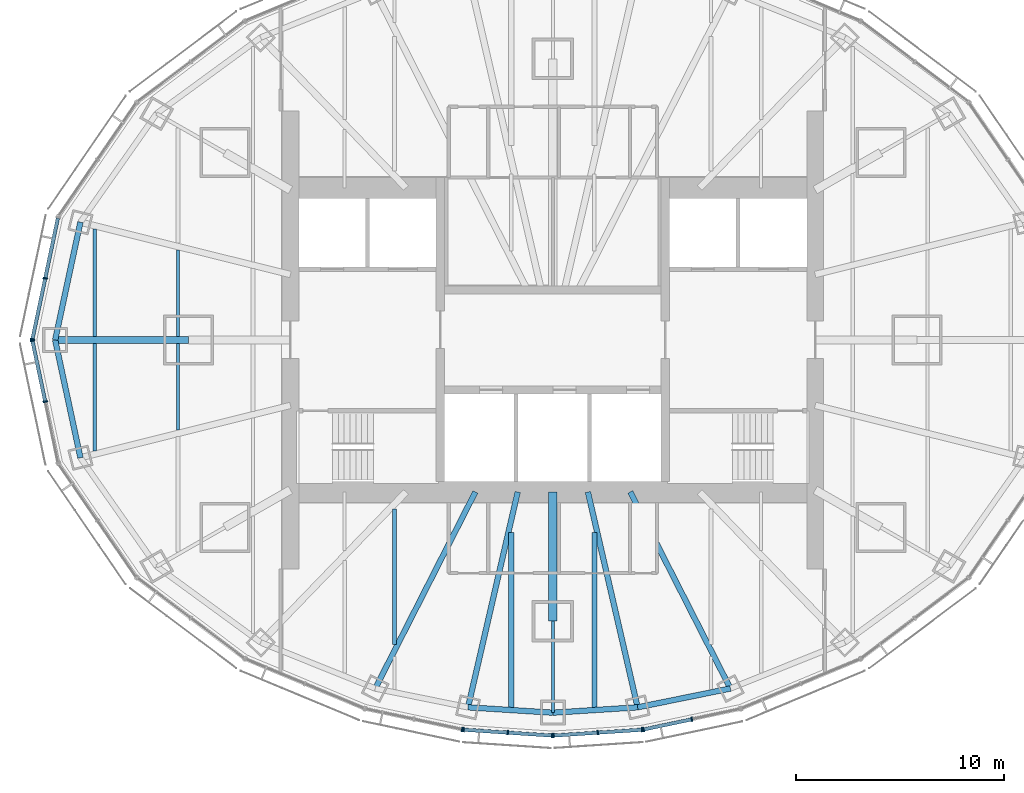
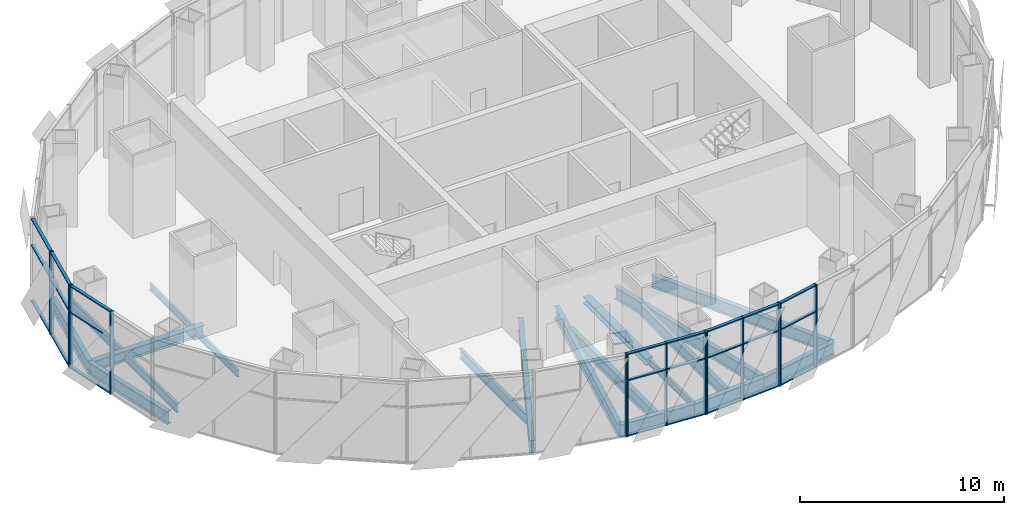
# One storey, part 3 of 17: 37 members, 19 beams, 6 elements without a shape of their own.
"""IFC4 building model written with IfcOpenShell, lengths in metres."""

from ifc_helpers import new_model, si_unit, direction, frame, origin, origin_2d, place, context, subcontext, project, spatial, rectangle, i_section, extrude, material, material_profile, profile_set, type_object, element, aggregate, save


model = new_model("IFC4")

# Units and contexts
model_context = context("Model", 3, precision=1e-05, world=origin(), true_north=direction((0.0, 1.0)))
body_context = subcontext(model_context, "Body", "Model", "MODEL_VIEW")
ifc_project = project(units=[si_unit("LENGTHUNIT", "METRE"), si_unit("AREAUNIT", "SQUARE_METRE"), si_unit("VOLUMEUNIT", "CUBIC_METRE"), si_unit("PLANEANGLEUNIT", "RADIAN"), si_unit("MASSUNIT", "GRAM", prefix="KILO")], contexts=[model_context])

# Site, building, storey
site_placement = place(None, origin())
site = spatial("IfcSite", under=ifc_project, at=site_placement, CompositionType="ELEMENT")
building_placement = place(site_placement, origin())
building = spatial("IfcBuilding", under=site, at=building_placement, Name="Lantaw Convention Tower", CompositionType="ELEMENT")
storey_placement = place(building_placement, frame((0.0, 0.0, 279.39990234375)))
storey = spatial("IfcBuildingStorey", under=building, at=storey_placement, Name="L65", CompositionType="ELEMENT", Elevation=279.39990234375)

# Beams
ifc_material_1 = material(Name="Steel ASTM A992", Category="steel")
ifc_material_profile_1 = material_profile(ifc_material_1, i_section(OverallWidth=0.2666015625, OverallDepth=0.76953125, WebThickness=0.015625, FlangeThickness=0.025390625, FilletRadius=0.0126953125, at=origin_2d()), Name="W30X132")
ifc_profile_set_1 = profile_set([ifc_material_profile_1], Name="Steel ASTM A992")
beam_type_1 = type_object("IfcBeamType", Name="Beam E W30X132", PredefinedType="SPANDREL", material=ifc_profile_set_1)
for number, where, z_axis, x_axis, name in (
    (1, (-22.68701171875, 5.656494140625, -0.53466796875), (-0.209658780372, -0.977774614015, 0.0), (0.977774614015, -0.209658780372, 0.0), "Edge beam 12"),
    (2, (-23.89990234375, 0.0, -0.53466796875), (0.209658780372, -0.977774614015, 0.0), (0.977774614015, 0.209658780372, 0.0), "Edge beam 13"),
):
    element("IfcBeam", number, at=place(storey_placement, frame(where, z_axis=z_axis, x_axis=x_axis)), inside=storey, type_object=beam_type_1, Name=name, PredefinedType="SPANDREL", context=body_context, shape_type="SweptSolid", body=[
        extrude(i_section(OverallWidth=0.2666015625, OverallDepth=0.76953125, WebThickness=0.015625, FlangeThickness=0.025390625, FilletRadius=0.0126953125, at=origin_2d()), origin(), (0.0, 0.0, 1.0), 5.78515625),
    ])
for number, where, z_axis, x_axis, name in (
    (3, (-4.072998046875, -17.642333984375, -0.53466796875), (0.998006453216, -0.063111958769, 0.0), (0.063111958769, 0.998006453216, 0.0), "Edge beam 18"),
    (4, (0.0, -17.89990234375, -0.53466796875), (0.998006453216, 0.063111958769, 0.0), (-0.063111958769, 0.998006453216, 0.0), "Edge beam 19"),
):
    element("IfcBeam", number, at=place(storey_placement, frame(where, z_axis=z_axis, x_axis=x_axis)), inside=storey, type_object=beam_type_1, Name=name, PredefinedType="SPANDREL", context=body_context, shape_type="SweptSolid", body=[
        extrude(i_section(OverallWidth=0.2666015625, OverallDepth=0.76953125, WebThickness=0.015625, FlangeThickness=0.025390625, FilletRadius=0.0126953125, at=origin_2d()), origin(), (0.0, 0.0, 1.0), 4.0810546875),
    ])
beam_1_placement = place(storey_placement, frame((4.072998046875, -17.642333984375, -0.53466796875), z_axis=(0.980006466425, 0.198965639657, 0.0), x_axis=(-0.198965639657, 0.980006466425, 0.0)))
element("IfcBeam", 5, at=beam_1_placement, inside=storey, type_object=beam_type_1, Name="Edge beam 20", PredefinedType="SPANDREL", context=body_context, shape_type="SweptSolid", body=[
    extrude(i_section(OverallWidth=0.2666015625, OverallDepth=0.76953125, WebThickness=0.015625, FlangeThickness=0.025390625, FilletRadius=0.0126953125, at=origin_2d()), origin(), (0.0, 0.0, 1.0), 4.546142578125),
])
ifc_material_profile_2 = material_profile(ifc_material_1, i_section(OverallWidth=0.140380859375, OverallDepth=0.40380859375, WebThickness=0.007080078125, FlangeThickness=0.01123046875, FilletRadius=0.01025390625, at=origin_2d()), Name="W16X31")
ifc_profile_set_2 = profile_set([ifc_material_profile_2], Name="Steel ASTM A992")
beam_type_2 = type_object("IfcBeamType", Name="Beam G W16X31", PredefinedType="BEAM", material=ifc_profile_set_2)
beam_2_placement = place(storey_placement, frame((0.0, -13.5, -0.351806640625), z_axis=(0.0, -1.0, 0.0), x_axis=(1.0, 0.0, 0.0)))
element("IfcBeam", 6, at=beam_2_placement, inside=storey, type_object=beam_type_2, Name="Floor girder on ray 19", PredefinedType="BEAM", context=body_context, shape_type="SweptSolid", body=[
    extrude(i_section(OverallWidth=0.140380859375, OverallDepth=0.40380859375, WebThickness=0.007080078125, FlangeThickness=0.01123046875, FilletRadius=0.01025390625, at=origin_2d()), origin(), (0.0, 0.0, 1.0), 4.39990234375),
])
ifc_material_profile_3 = material_profile(ifc_material_1, i_section(OverallWidth=0.3251953125, OverallDepth=0.612060546875, WebThickness=0.0126953125, FlangeThickness=0.01904296875, FilletRadius=0.0126953125, at=origin_2d()), Name="W24X104")
ifc_profile_set_3 = profile_set([ifc_material_profile_3], Name="Steel ASTM A992")
beam_type_3 = type_object("IfcBeamType", Name="Beam G W24X104", PredefinedType="BEAM", material=ifc_profile_set_3)
beam_3_placement = place(storey_placement, frame((-17.5, 0.0, -0.4560546875), z_axis=(-1.0, 0.0, 0.0), x_axis=(0.0, -1.0, 0.0)))
element("IfcBeam", 7, at=beam_3_placement, inside=storey, type_object=beam_type_3, Name="Floor girder on ray 13", PredefinedType="BEAM", context=body_context, shape_type="SweptSolid", body=[
    extrude(i_section(OverallWidth=0.3251953125, OverallDepth=0.612060546875, WebThickness=0.0126953125, FlangeThickness=0.01904296875, FilletRadius=0.0126953125, at=origin_2d()), origin(), (0.0, 0.0, 1.0), 6.39990234375),
])
ifc_material_profile_4 = material_profile(ifc_material_1, i_section(OverallWidth=0.2666015625, OverallDepth=0.7568359375, WebThickness=0.013916015625, FlangeThickness=0.019287109375, FilletRadius=0.0126953125, at=origin_2d()), Name="W30X108")
ifc_profile_set_4 = profile_set([ifc_material_profile_4], Name="Steel ASTM A992")
beam_type_4 = type_object("IfcBeamType", Name="Beam G W30X108", PredefinedType="BEAM", material=ifc_profile_set_4)
beam_4_placement = place(storey_placement, frame((-3.719482421875, -7.300048828125, -0.5283203125), z_axis=(-0.453995526284, -0.891003963018, 0.0), x_axis=(0.891003963018, -0.453995526284, 0.0)))
element("IfcBeam", 8, at=beam_4_placement, inside=storey, type_object=beam_type_4, Name="Floor girder on ray 17", PredefinedType="BEAM", context=body_context, shape_type="SweptSolid", body=[
    extrude(i_section(OverallWidth=0.2666015625, OverallDepth=0.7568359375, WebThickness=0.013916015625, FlangeThickness=0.019287109375, FilletRadius=0.0126953125, at=origin_2d()), origin(), (0.0, 0.0, 1.0), 10.59228515625),
])
for number, where, z_axis, x_axis, name in (
    (9, (-1.685302734375, -7.300048828125, -0.5283203125), (-0.22495021771, -0.974370257937, 0.0), (0.974370257937, -0.22495021771, 0.0), "Floor girder on ray 18"),
    (10, (1.685302734375, -7.300048828125, -0.5283203125), (0.22495021771, -0.974370257937, 0.0), (0.974370257937, 0.22495021771, 0.0), "Floor girder on ray 20"),
):
    element("IfcBeam", number, at=place(storey_placement, frame(where, z_axis=z_axis, x_axis=x_axis)), inside=storey, type_object=beam_type_4, Name=name, PredefinedType="BEAM", context=body_context, shape_type="SweptSolid", body=[
        extrude(i_section(OverallWidth=0.2666015625, OverallDepth=0.7568359375, WebThickness=0.013916015625, FlangeThickness=0.019287109375, FilletRadius=0.0126953125, at=origin_2d()), origin(), (0.0, 0.0, 1.0), 10.6142578125),
    ])
beam_5_placement = place(storey_placement, frame((3.719482421875, -7.300048828125, -0.5283203125), z_axis=(0.453995526284, -0.891003963018, 0.0), x_axis=(0.891003963018, 0.453995526284, 0.0)))
element("IfcBeam", 11, at=beam_5_placement, inside=storey, type_object=beam_type_4, Name="Floor girder on ray 21", PredefinedType="BEAM", context=body_context, shape_type="SweptSolid", body=[
    extrude(i_section(OverallWidth=0.2666015625, OverallDepth=0.7568359375, WebThickness=0.013916015625, FlangeThickness=0.019287109375, FilletRadius=0.0126953125, at=origin_2d()), origin(), (0.0, 0.0, 1.0), 10.59228515625),
])
ifc_material_profile_5 = material_profile(ifc_material_1, i_section(OverallWidth=0.40380859375, OverallDepth=0.406494140625, WebThickness=0.027099609375, FlangeThickness=0.043701171875, FilletRadius=0.01513671875, at=origin_2d()), Name="W14X233")
ifc_profile_set_5 = profile_set([ifc_material_profile_5], Name="Steel ASTM A992")
beam_type_5 = type_object("IfcBeamType", Name="Beam GM W14X233", PredefinedType="BEAM", material=ifc_profile_set_5)
beam_6_placement = place(storey_placement, frame((0.0, -7.300048828125, -0.35302734375), z_axis=(0.0, -1.0, 0.0), x_axis=(1.0, 0.0, 0.0)))
element("IfcBeam", 12, at=beam_6_placement, inside=storey, type_object=beam_type_5, Name="Core link beam on ray 19", PredefinedType="BEAM", context=body_context, shape_type="SweptSolid", body=[
    extrude(i_section(OverallWidth=0.40380859375, OverallDepth=0.406494140625, WebThickness=0.027099609375, FlangeThickness=0.043701171875, FilletRadius=0.01513671875, at=origin_2d()), origin(), (0.0, 0.0, 1.0), 6.199951171875),
])
ifc_material_profile_6 = material_profile(ifc_material_1, i_section(OverallWidth=0.140380859375, OverallDepth=0.40380859375, WebThickness=0.007080078125, FlangeThickness=0.01123046875, FilletRadius=0.01025390625, at=origin_2d()), Name="W16X31")
ifc_profile_set_6 = profile_set([ifc_material_profile_6], Name="Steel ASTM A992")
beam_type_6 = type_object("IfcBeamType", Name="Beam J W16X31", PredefinedType="JOIST", material=ifc_profile_set_6)
for number, where, z_axis, x_axis, name in (
    (13, (-18.0, -4.32958984375, -0.351806640625), (0.0, 1.0, 0.0), (-1.0, 0.0, 0.0), "Floor joist"),
    (14, (-18.0, 0.16259765625, -0.351806640625), (0.0, 1.0, 0.0), (-1.0, 0.0, 0.0), "Floor joist"),
):
    element("IfcBeam", number, at=place(storey_placement, frame(where, z_axis=z_axis, x_axis=x_axis)), inside=storey, type_object=beam_type_6, Name=name, PredefinedType="JOIST", context=body_context, shape_type="SweptSolid", body=[
        extrude(i_section(OverallWidth=0.140380859375, OverallDepth=0.40380859375, WebThickness=0.007080078125, FlangeThickness=0.01123046875, FilletRadius=0.01025390625, at=origin_2d()), origin(), (0.0, 0.0, 1.0), 4.1669921875),
    ])
ifc_material_profile_7 = material_profile(ifc_material_1, i_section(OverallWidth=0.1650390625, OverallDepth=0.52587890625, WebThickness=0.0087890625, FlangeThickness=0.011474609375, FilletRadius=0.0126953125, at=origin_2d()), Name="W21X44")
ifc_profile_set_7 = profile_set([ifc_material_profile_7], Name="Steel ASTM A992")
beam_type_7 = type_object("IfcBeamType", Name="Beam J W21X44", PredefinedType="JOIST", material=ifc_profile_set_7)
for number, where, z_axis, x_axis, name in (
    (15, (-22.0, -5.326904296875, -0.412841796875), (0.0, 1.0, 0.0), (-1.0, 0.0, 0.0), "Floor joist"),
    (16, (-22.0, 0.16259765625, -0.412841796875), (0.0, 1.0, 0.0), (-1.0, 0.0, 0.0), "Floor joist"),
):
    element("IfcBeam", number, at=place(storey_placement, frame(where, z_axis=z_axis, x_axis=x_axis)), inside=storey, type_object=beam_type_7, Name=name, PredefinedType="JOIST", context=body_context, shape_type="SweptSolid", body=[
        extrude(i_section(OverallWidth=0.1650390625, OverallDepth=0.52587890625, WebThickness=0.0087890625, FlangeThickness=0.011474609375, FilletRadius=0.0126953125, at=origin_2d()), origin(), (0.0, 0.0, 1.0), 5.164306640625),
    ])
ifc_material_profile_8 = material_profile(ifc_material_1, i_section(OverallWidth=0.177978515625, OverallDepth=0.599365234375, WebThickness=0.010009765625, FlangeThickness=0.012939453125, FilletRadius=0.012939453125, at=origin_2d()), Name="W24X55")
ifc_profile_set_8 = profile_set([ifc_material_profile_8], Name="Steel ASTM A992")
beam_type_8 = type_object("IfcBeamType", Name="Beam J W24X55", PredefinedType="JOIST", material=ifc_profile_set_8)
beam_7_placement = place(storey_placement, frame((-7.60009765625, -14.6220703125, -0.44970703125), z_axis=(0.0, 1.0, 0.0), x_axis=(-1.0, 0.0, 0.0)))
element("IfcBeam", 17, at=beam_7_placement, inside=storey, type_object=beam_type_8, Name="Floor joist", PredefinedType="JOIST", context=body_context, shape_type="SweptSolid", body=[
    extrude(i_section(OverallWidth=0.177978515625, OverallDepth=0.599365234375, WebThickness=0.010009765625, FlangeThickness=0.012939453125, FilletRadius=0.012939453125, at=origin_2d()), origin(), (0.0, 0.0, 1.0), 6.51611328125),
])
ifc_material_profile_9 = material_profile(ifc_material_1, i_section(OverallWidth=0.25390625, OverallDepth=0.683349609375, WebThickness=0.012451171875, FlangeThickness=0.01904296875, FilletRadius=0.01513671875, at=origin_2d()), Name="W27X94")
ifc_profile_set_9 = profile_set([ifc_material_profile_9], Name="Steel ASTM A992")
beam_type_9 = type_object("IfcBeamType", Name="Beam J W27X94", PredefinedType="JOIST", material=ifc_profile_set_9)
for number, where, z_axis, x_axis, name in (
    (18, (-2.0, -17.639892578125, -0.491455078125), (0.0, 1.0, 0.0), (-1.0, 0.0, 0.0), "Floor joist"),
    (19, (2.0, -17.639892578125, -0.491455078125), (0.0, 1.0, 0.0), (-1.0, 0.0, 0.0), "Floor joist"),
):
    element("IfcBeam", number, at=place(storey_placement, frame(where, z_axis=z_axis, x_axis=x_axis)), inside=storey, type_object=beam_type_9, Name=name, PredefinedType="JOIST", context=body_context, shape_type="SweptSolid", body=[
        extrude(i_section(OverallWidth=0.25390625, OverallDepth=0.683349609375, WebThickness=0.012451171875, FlangeThickness=0.01904296875, FilletRadius=0.01513671875, at=origin_2d()), origin(), (0.0, 0.0, 1.0), 8.384033203125),
    ])

# Curtain wall, members
ifc_material_2 = material(Name="Aluminium framed curtain wall", Category="aluminium")
curtain_wall_type = type_object("IfcCurtainWallType", Name="Executive floors curtain wall, pale aluminium", PredefinedType="USERDEFINED", material=ifc_material_2)
curtain_wall_1_placement = place(storey_placement, origin())
curtain_wall_1 = element("IfcCurtainWall", 20, at=curtain_wall_1_placement, inside=storey, type_object=curtain_wall_type, Name="Executive floors curtain wall, pale aluminium L65", ObjectType="UNITISED CURTAIN WALL", PredefinedType="USERDEFINED")
ifc_material_3 = material(Name="Aluminium 6063-T6", Category="aluminium")
ifc_material_profile_10 = material_profile(ifc_material_3, rectangle(XDim=0.219970703125, YDim=0.070068359375, at=origin_2d()), Name="CW-T mullion 70x220")
ifc_profile_set_10 = profile_set([ifc_material_profile_10], Name="Aluminium 6063-T6")
member_type_1 = type_object("IfcMemberType", Name="CW-T mullion 70x220", PredefinedType="MULLION", material=ifc_profile_set_10)
member_1_placement = place(storey_placement, frame((-24.377197265625, 2.96142578125, -0.14990234375), z_axis=(0.0, 0.0, 1.0), x_axis=(0.978591117263, -0.205814054946, 0.0)))
member_1 = element("IfcMember", 21, at=member_1_placement, type_object=member_type_1, Name="CW-T mullion 2", PredefinedType="MULLION", context=body_context, shape_type="SweptSolid", body=[
    extrude(rectangle(XDim=0.219970703125, YDim=0.070068359375, at=origin_2d()), origin(), (0.0, 0.0, 1.0), 4.949951171875),
])
member_2_placement = place(storey_placement, frame((-24.99267578125, 0.0341796875, -0.14990234375), z_axis=(0.0, 0.0, 1.0), x_axis=(0.978591117263, -0.205814054946, 0.0)))
member_2 = element("IfcMember", 22, at=member_2_placement, type_object=member_type_1, Name="CW-T mullion 3", PredefinedType="MULLION", context=body_context, shape_type="SweptSolid", body=[
    extrude(rectangle(XDim=0.219970703125, YDim=0.070068359375, at=origin_2d()), origin(), (0.0, 0.0, 1.0), 4.949951171875),
])

curtain_wall_2_placement = place(storey_placement, origin())
curtain_wall_2 = element("IfcCurtainWall", 23, at=curtain_wall_2_placement, inside=storey, type_object=curtain_wall_type, Name="Executive floors curtain wall, pale aluminium L65", ObjectType="UNITISED CURTAIN WALL", PredefinedType="USERDEFINED")
member_3_placement = place(storey_placement, frame((-24.99267578125, -0.0341796875, -0.14990234375), z_axis=(0.0, 0.0, 1.0), x_axis=(0.978591117263, 0.205814054946, 0.0)))
member_3 = element("IfcMember", 24, at=member_3_placement, type_object=member_type_1, Name="CW-T mullion 1", PredefinedType="MULLION", context=body_context, shape_type="SweptSolid", body=[
    extrude(rectangle(XDim=0.219970703125, YDim=0.070068359375, at=origin_2d()), origin(), (0.0, 0.0, 1.0), 4.949951171875),
])
member_4_placement = place(storey_placement, frame((-24.377197265625, -2.96142578125, -0.14990234375), z_axis=(0.0, 0.0, 1.0), x_axis=(0.978591117263, 0.205814054946, 0.0)))
member_4 = element("IfcMember", 25, at=member_4_placement, type_object=member_type_1, Name="CW-T mullion 2", PredefinedType="MULLION", context=body_context, shape_type="SweptSolid", body=[
    extrude(rectangle(XDim=0.219970703125, YDim=0.070068359375, at=origin_2d()), origin(), (0.0, 0.0, 1.0), 4.949951171875),
])

# Curtain wall, member
curtain_wall_3_placement = place(storey_placement, origin())
curtain_wall_3 = element("IfcCurtainWall", 26, at=curtain_wall_3_placement, inside=storey, type_object=curtain_wall_type, Name="Executive floors curtain wall, pale aluminium L65", ObjectType="UNITISED CURTAIN WALL", PredefinedType="USERDEFINED")
member_5_placement = place(storey_placement, frame((-4.354736328125, -18.706787109375, -0.14990234375), z_axis=(0.0, 0.0, 1.0), x_axis=(0.207039911975, 0.978332497083, 0.0)))
member_5 = element("IfcMember", 27, at=member_5_placement, type_object=member_type_1, Name="CW-T mullion 3", PredefinedType="MULLION", context=body_context, shape_type="SweptSolid", body=[
    extrude(rectangle(XDim=0.219970703125, YDim=0.070068359375, at=origin_2d()), origin(), (0.0, 0.0, 1.0), 4.949951171875),
])
aggregate(curtain_wall_3, [member_5])

# Curtain wall, members
curtain_wall_4_placement = place(storey_placement, origin())
curtain_wall_4 = element("IfcCurtainWall", 28, at=curtain_wall_4_placement, inside=storey, type_object=curtain_wall_type, Name="Executive floors curtain wall, pale aluminium L65", ObjectType="UNITISED CURTAIN WALL", PredefinedType="USERDEFINED")
member_6_placement = place(storey_placement, frame((-4.28564453125, -18.71630859375, -0.14990234375), z_axis=(0.0, 0.0, 1.0), x_axis=(0.066024902273, 0.997817975525, 0.0)))
member_6 = element("IfcMember", 29, at=member_6_placement, type_object=member_type_1, Name="CW-T mullion 1", PredefinedType="MULLION", context=body_context, shape_type="SweptSolid", body=[
    extrude(rectangle(XDim=0.219970703125, YDim=0.070068359375, at=origin_2d()), origin(), (0.0, 0.0, 1.0), 4.949951171875),
])
member_7_placement = place(storey_placement, frame((-2.16015625, -18.857177734375, -0.14990234375), z_axis=(0.0, 0.0, 1.0), x_axis=(0.066024902273, 0.997817975525, 0.0)))
member_7 = element("IfcMember", 30, at=member_7_placement, type_object=member_type_1, Name="CW-T mullion 2", PredefinedType="MULLION", context=body_context, shape_type="SweptSolid", body=[
    extrude(rectangle(XDim=0.219970703125, YDim=0.070068359375, at=origin_2d()), origin(), (0.0, 0.0, 1.0), 4.949951171875),
])
member_8_placement = place(storey_placement, frame((-0.034912109375, -18.997802734375, -0.14990234375), z_axis=(0.0, 0.0, 1.0), x_axis=(0.066024902273, 0.997817975525, 0.0)))
member_8 = element("IfcMember", 31, at=member_8_placement, type_object=member_type_1, Name="CW-T mullion 3", PredefinedType="MULLION", context=body_context, shape_type="SweptSolid", body=[
    extrude(rectangle(XDim=0.219970703125, YDim=0.070068359375, at=origin_2d()), origin(), (0.0, 0.0, 1.0), 4.949951171875),
])

curtain_wall_5_placement = place(storey_placement, origin())
curtain_wall_5 = element("IfcCurtainWall", 32, at=curtain_wall_5_placement, inside=storey, type_object=curtain_wall_type, Name="Executive floors curtain wall, pale aluminium L65", ObjectType="UNITISED CURTAIN WALL", PredefinedType="USERDEFINED")
member_9_placement = place(storey_placement, frame((0.034912109375, -18.997802734375, -0.14990234375), z_axis=(0.0, 0.0, 1.0), x_axis=(-0.066024902273, 0.997817975525, 0.0)))
member_9 = element("IfcMember", 33, at=member_9_placement, type_object=member_type_1, Name="CW-T mullion 1", PredefinedType="MULLION", context=body_context, shape_type="SweptSolid", body=[
    extrude(rectangle(XDim=0.219970703125, YDim=0.070068359375, at=origin_2d()), origin(), (0.0, 0.0, 1.0), 4.949951171875),
])
member_10_placement = place(storey_placement, frame((2.16015625, -18.857177734375, -0.14990234375), z_axis=(0.0, 0.0, 1.0), x_axis=(-0.066024902273, 0.997817975525, 0.0)))
member_10 = element("IfcMember", 34, at=member_10_placement, type_object=member_type_1, Name="CW-T mullion 2", PredefinedType="MULLION", context=body_context, shape_type="SweptSolid", body=[
    extrude(rectangle(XDim=0.219970703125, YDim=0.070068359375, at=origin_2d()), origin(), (0.0, 0.0, 1.0), 4.949951171875),
])
member_11_placement = place(storey_placement, frame((4.28564453125, -18.71630859375, -0.14990234375), z_axis=(0.0, 0.0, 1.0), x_axis=(-0.066024902273, 0.997817975525, 0.0)))
member_11 = element("IfcMember", 35, at=member_11_placement, type_object=member_type_1, Name="CW-T mullion 3", PredefinedType="MULLION", context=body_context, shape_type="SweptSolid", body=[
    extrude(rectangle(XDim=0.219970703125, YDim=0.070068359375, at=origin_2d()), origin(), (0.0, 0.0, 1.0), 4.949951171875),
])

curtain_wall_6_placement = place(storey_placement, origin())
curtain_wall_6 = element("IfcCurtainWall", 36, at=curtain_wall_6_placement, inside=storey, type_object=curtain_wall_type, Name="Executive floors curtain wall, pale aluminium L65", ObjectType="UNITISED CURTAIN WALL", PredefinedType="USERDEFINED")
member_12_placement = place(storey_placement, frame((4.354736328125, -18.706787109375, -0.14990234375), z_axis=(0.0, 0.0, 1.0), x_axis=(-0.207039911975, 0.978332497083, 0.0)))
member_12 = element("IfcMember", 37, at=member_12_placement, type_object=member_type_1, Name="CW-T mullion 1", PredefinedType="MULLION", context=body_context, shape_type="SweptSolid", body=[
    extrude(rectangle(XDim=0.219970703125, YDim=0.070068359375, at=origin_2d()), origin(), (0.0, 0.0, 1.0), 4.949951171875),
])
member_13_placement = place(storey_placement, frame((6.674072265625, -18.216064453125, -0.14990234375), z_axis=(0.0, 0.0, 1.0), x_axis=(-0.207039911975, 0.978332497083, 0.0)))
member_13 = element("IfcMember", 38, at=member_13_placement, type_object=member_type_1, Name="CW-T mullion 2", PredefinedType="MULLION", context=body_context, shape_type="SweptSolid", body=[
    extrude(rectangle(XDim=0.219970703125, YDim=0.070068359375, at=origin_2d()), origin(), (0.0, 0.0, 1.0), 4.949951171875),
])

# Member
ifc_material_profile_11 = material_profile(ifc_material_3, rectangle(XDim=0.169921875, YDim=0.070068359375, at=origin_2d()), Name="CW-T transom 70x170")
ifc_profile_set_11 = profile_set([ifc_material_profile_11], Name="Aluminium 6063-T6")
member_type_2 = type_object("IfcMemberType", Name="CW-T transom 70x170", PredefinedType="USERDEFINED", material=ifc_profile_set_11)
member_14_placement = place(storey_placement, frame((-23.768798828125, 5.854248046875, -0.114990234375), z_axis=(-0.205766173106, -0.978601186391, 0.0), x_axis=(0.978601186391, -0.205766173106, 0.0)))
member_14 = element("IfcMember", 39, at=member_14_placement, type_object=member_type_2, Name="CW-T transom 1.1", ObjectType="TRANSOM", PredefinedType="USERDEFINED", context=body_context, shape_type="SweptSolid", body=[
    extrude(rectangle(XDim=0.169921875, YDim=0.070068359375, at=origin_2d()), origin(), (0.0, 0.0, 1.0), 2.921142578125),
])

member_15_placement = place(storey_placement, frame((-23.768798828125, 5.854248046875, 3.2001953125), z_axis=(-0.205766173106, -0.978601186391, 0.0), x_axis=(0.978601186391, -0.205766173106, 0.0)))
member_15 = element("IfcMember", 40, at=member_15_placement, type_object=member_type_2, Name="CW-T transom 1.2", ObjectType="TRANSOM", PredefinedType="USERDEFINED", context=body_context, shape_type="SweptSolid", body=[
    extrude(rectangle(XDim=0.169921875, YDim=0.070068359375, at=origin_2d()), origin(), (0.0, 0.0, 1.0), 2.921142578125),
])

member_16_placement = place(storey_placement, frame((-23.768798828125, 5.854248046875, 4.76513671875), z_axis=(-0.205766173106, -0.978601186391, 0.0), x_axis=(0.978601186391, -0.205766173106, 0.0)))
member_16 = element("IfcMember", 41, at=member_16_placement, type_object=member_type_2, Name="CW-T transom 1.3", ObjectType="TRANSOM", PredefinedType="USERDEFINED", context=body_context, shape_type="SweptSolid", body=[
    extrude(rectangle(XDim=0.169921875, YDim=0.070068359375, at=origin_2d()), origin(), (0.0, 0.0, 1.0), 2.921142578125),
])

member_17_placement = place(storey_placement, frame((-24.38427734375, 2.927001953125, -0.114990234375), z_axis=(-0.205863045856, -0.978580812376, 0.0), x_axis=(0.978580812376, -0.205863045856, 0.0)))
member_17 = element("IfcMember", 42, at=member_17_placement, type_object=member_type_2, Name="CW-T transom 2.1", ObjectType="TRANSOM", PredefinedType="USERDEFINED", context=body_context, shape_type="SweptSolid", body=[
    extrude(rectangle(XDim=0.169921875, YDim=0.070068359375, at=origin_2d()), origin(), (0.0, 0.0, 1.0), 2.9208984375),
])

member_18_placement = place(storey_placement, frame((-24.38427734375, 2.927001953125, 3.2001953125), z_axis=(-0.205863045856, -0.978580812376, 0.0), x_axis=(0.978580812376, -0.205863045856, 0.0)))
member_18 = element("IfcMember", 43, at=member_18_placement, type_object=member_type_2, Name="CW-T transom 2.2", ObjectType="TRANSOM", PredefinedType="USERDEFINED", context=body_context, shape_type="SweptSolid", body=[
    extrude(rectangle(XDim=0.169921875, YDim=0.070068359375, at=origin_2d()), origin(), (0.0, 0.0, 1.0), 2.9208984375),
])

member_19_placement = place(storey_placement, frame((-24.38427734375, 2.927001953125, 4.76513671875), z_axis=(-0.205863045856, -0.978580812376, 0.0), x_axis=(0.978580812376, -0.205863045856, 0.0)))
member_19 = element("IfcMember", 44, at=member_19_placement, type_object=member_type_2, Name="CW-T transom 2.3", ObjectType="TRANSOM", PredefinedType="USERDEFINED", context=body_context, shape_type="SweptSolid", body=[
    extrude(rectangle(XDim=0.169921875, YDim=0.070068359375, at=origin_2d()), origin(), (0.0, 0.0, 1.0), 2.9208984375),
])

aggregate(curtain_wall_1, [member_1, member_2, member_14, member_15, member_16, member_17, member_18, member_19])

member_20_placement = place(storey_placement, frame((-24.985595703125, -0.068603515625, -0.114990234375), z_axis=(0.205863045856, -0.978580812376, 0.0), x_axis=(0.978580812376, 0.205863045856, 0.0)))
member_20 = element("IfcMember", 45, at=member_20_placement, type_object=member_type_2, Name="CW-T transom 1.1", ObjectType="TRANSOM", PredefinedType="USERDEFINED", context=body_context, shape_type="SweptSolid", body=[
    extrude(rectangle(XDim=0.169921875, YDim=0.070068359375, at=origin_2d()), origin(), (0.0, 0.0, 1.0), 2.9208984375),
])

member_21_placement = place(storey_placement, frame((-24.985595703125, -0.068603515625, 3.2001953125), z_axis=(0.205863045856, -0.978580812376, 0.0), x_axis=(0.978580812376, 0.205863045856, 0.0)))
member_21 = element("IfcMember", 46, at=member_21_placement, type_object=member_type_2, Name="CW-T transom 1.2", ObjectType="TRANSOM", PredefinedType="USERDEFINED", context=body_context, shape_type="SweptSolid", body=[
    extrude(rectangle(XDim=0.169921875, YDim=0.070068359375, at=origin_2d()), origin(), (0.0, 0.0, 1.0), 2.9208984375),
])

member_22_placement = place(storey_placement, frame((-24.985595703125, -0.068603515625, 4.76513671875), z_axis=(0.205863045856, -0.978580812376, 0.0), x_axis=(0.978580812376, 0.205863045856, 0.0)))
member_22 = element("IfcMember", 47, at=member_22_placement, type_object=member_type_2, Name="CW-T transom 1.3", ObjectType="TRANSOM", PredefinedType="USERDEFINED", context=body_context, shape_type="SweptSolid", body=[
    extrude(rectangle(XDim=0.169921875, YDim=0.070068359375, at=origin_2d()), origin(), (0.0, 0.0, 1.0), 2.9208984375),
])

aggregate(curtain_wall_2, [member_3, member_4, member_20, member_21, member_22])

member_23_placement = place(storey_placement, frame((-4.250732421875, -18.71875, -0.114990234375), z_axis=(0.997819110413, -0.066007748753, 0.0), x_axis=(0.066007748753, 0.997819110413, 0.0)))
member_23 = element("IfcMember", 48, at=member_23_placement, type_object=member_type_2, Name="CW-T transom 1.1", ObjectType="TRANSOM", PredefinedType="USERDEFINED", context=body_context, shape_type="SweptSolid", body=[
    extrude(rectangle(XDim=0.169921875, YDim=0.070068359375, at=origin_2d()), origin(), (0.0, 0.0, 1.0), 2.06005859375),
])

member_24_placement = place(storey_placement, frame((-4.250732421875, -18.71875, 3.2001953125), z_axis=(0.997819110413, -0.066007748753, 0.0), x_axis=(0.066007748753, 0.997819110413, 0.0)))
member_24 = element("IfcMember", 49, at=member_24_placement, type_object=member_type_2, Name="CW-T transom 1.2", ObjectType="TRANSOM", PredefinedType="USERDEFINED", context=body_context, shape_type="SweptSolid", body=[
    extrude(rectangle(XDim=0.169921875, YDim=0.070068359375, at=origin_2d()), origin(), (0.0, 0.0, 1.0), 2.06005859375),
])

member_25_placement = place(storey_placement, frame((-4.250732421875, -18.71875, 4.76513671875), z_axis=(0.997819110413, -0.066007748753, 0.0), x_axis=(0.066007748753, 0.997819110413, 0.0)))
member_25 = element("IfcMember", 50, at=member_25_placement, type_object=member_type_2, Name="CW-T transom 1.3", ObjectType="TRANSOM", PredefinedType="USERDEFINED", context=body_context, shape_type="SweptSolid", body=[
    extrude(rectangle(XDim=0.169921875, YDim=0.070068359375, at=origin_2d()), origin(), (0.0, 0.0, 1.0), 2.06005859375),
])

member_26_placement = place(storey_placement, frame((-2.125244140625, -18.859375, -0.114990234375), z_axis=(0.997818593988, -0.066015554918, 0.0), x_axis=(0.066015554918, 0.997818593988, 0.0)))
member_26 = element("IfcMember", 51, at=member_26_placement, type_object=member_type_2, Name="CW-T transom 2.1", ObjectType="TRANSOM", PredefinedType="USERDEFINED", context=body_context, shape_type="SweptSolid", body=[
    extrude(rectangle(XDim=0.169921875, YDim=0.070068359375, at=origin_2d()), origin(), (0.0, 0.0, 1.0), 2.059814453125),
])

member_27_placement = place(storey_placement, frame((-2.125244140625, -18.859375, 3.2001953125), z_axis=(0.997818593988, -0.066015554918, 0.0), x_axis=(0.066015554918, 0.997818593988, 0.0)))
member_27 = element("IfcMember", 52, at=member_27_placement, type_object=member_type_2, Name="CW-T transom 2.2", ObjectType="TRANSOM", PredefinedType="USERDEFINED", context=body_context, shape_type="SweptSolid", body=[
    extrude(rectangle(XDim=0.169921875, YDim=0.070068359375, at=origin_2d()), origin(), (0.0, 0.0, 1.0), 2.059814453125),
])

member_28_placement = place(storey_placement, frame((-2.125244140625, -18.859375, 4.76513671875), z_axis=(0.997818593988, -0.066015554918, 0.0), x_axis=(0.066015554918, 0.997818593988, 0.0)))
member_28 = element("IfcMember", 53, at=member_28_placement, type_object=member_type_2, Name="CW-T transom 2.3", ObjectType="TRANSOM", PredefinedType="USERDEFINED", context=body_context, shape_type="SweptSolid", body=[
    extrude(rectangle(XDim=0.169921875, YDim=0.070068359375, at=origin_2d()), origin(), (0.0, 0.0, 1.0), 2.059814453125),
])

aggregate(curtain_wall_4, [member_6, member_7, member_8, member_23, member_24, member_25, member_26, member_27, member_28])

member_29_placement = place(storey_placement, frame((0.06982421875, -18.995361328125, -0.114990234375), z_axis=(0.997818593988, 0.066015554918, 0.0), x_axis=(-0.066015554918, 0.997818593988, 0.0)))
member_29 = element("IfcMember", 54, at=member_29_placement, type_object=member_type_2, Name="CW-T transom 1.1", ObjectType="TRANSOM", PredefinedType="USERDEFINED", context=body_context, shape_type="SweptSolid", body=[
    extrude(rectangle(XDim=0.169921875, YDim=0.070068359375, at=origin_2d()), origin(), (0.0, 0.0, 1.0), 2.059814453125),
])

member_30_placement = place(storey_placement, frame((0.06982421875, -18.995361328125, 3.2001953125), z_axis=(0.997818593988, 0.066015554918, 0.0), x_axis=(-0.066015554918, 0.997818593988, 0.0)))
member_30 = element("IfcMember", 55, at=member_30_placement, type_object=member_type_2, Name="CW-T transom 1.2", ObjectType="TRANSOM", PredefinedType="USERDEFINED", context=body_context, shape_type="SweptSolid", body=[
    extrude(rectangle(XDim=0.169921875, YDim=0.070068359375, at=origin_2d()), origin(), (0.0, 0.0, 1.0), 2.059814453125),
])

member_31_placement = place(storey_placement, frame((0.06982421875, -18.995361328125, 4.76513671875), z_axis=(0.997818593988, 0.066015554918, 0.0), x_axis=(-0.066015554918, 0.997818593988, 0.0)))
member_31 = element("IfcMember", 56, at=member_31_placement, type_object=member_type_2, Name="CW-T transom 1.3", ObjectType="TRANSOM", PredefinedType="USERDEFINED", context=body_context, shape_type="SweptSolid", body=[
    extrude(rectangle(XDim=0.169921875, YDim=0.070068359375, at=origin_2d()), origin(), (0.0, 0.0, 1.0), 2.059814453125),
])

member_32_placement = place(storey_placement, frame((2.195068359375, -18.854736328125, -0.114990234375), z_axis=(0.997819110413, 0.066007748753, 0.0), x_axis=(-0.066007748753, 0.997819110413, 0.0)))
member_32 = element("IfcMember", 57, at=member_32_placement, type_object=member_type_2, Name="CW-T transom 2.1", ObjectType="TRANSOM", PredefinedType="USERDEFINED", context=body_context, shape_type="SweptSolid", body=[
    extrude(rectangle(XDim=0.169921875, YDim=0.070068359375, at=origin_2d()), origin(), (0.0, 0.0, 1.0), 2.06005859375),
])

member_33_placement = place(storey_placement, frame((2.195068359375, -18.854736328125, 3.2001953125), z_axis=(0.997819110413, 0.066007748753, 0.0), x_axis=(-0.066007748753, 0.997819110413, 0.0)))
member_33 = element("IfcMember", 58, at=member_33_placement, type_object=member_type_2, Name="CW-T transom 2.2", ObjectType="TRANSOM", PredefinedType="USERDEFINED", context=body_context, shape_type="SweptSolid", body=[
    extrude(rectangle(XDim=0.169921875, YDim=0.070068359375, at=origin_2d()), origin(), (0.0, 0.0, 1.0), 2.06005859375),
])

member_34_placement = place(storey_placement, frame((2.195068359375, -18.854736328125, 4.76513671875), z_axis=(0.997819110413, 0.066007748753, 0.0), x_axis=(-0.066007748753, 0.997819110413, 0.0)))
member_34 = element("IfcMember", 59, at=member_34_placement, type_object=member_type_2, Name="CW-T transom 2.3", ObjectType="TRANSOM", PredefinedType="USERDEFINED", context=body_context, shape_type="SweptSolid", body=[
    extrude(rectangle(XDim=0.169921875, YDim=0.070068359375, at=origin_2d()), origin(), (0.0, 0.0, 1.0), 2.06005859375),
])

aggregate(curtain_wall_5, [member_9, member_10, member_11, member_29, member_30, member_31, member_32, member_33, member_34])

member_35_placement = place(storey_placement, frame((4.388916015625, -18.69970703125, -0.114990234375), z_axis=(0.978336479598, 0.207021092375, 0.0), x_axis=(-0.207021092375, 0.978336479598, 0.0)))
member_35 = element("IfcMember", 60, at=member_35_placement, type_object=member_type_2, Name="CW-T transom 1.1", ObjectType="TRANSOM", PredefinedType="USERDEFINED", context=body_context, shape_type="SweptSolid", body=[
    extrude(rectangle(XDim=0.169921875, YDim=0.070068359375, at=origin_2d()), origin(), (0.0, 0.0, 1.0), 2.30078125),
])

member_36_placement = place(storey_placement, frame((4.388916015625, -18.69970703125, 3.2001953125), z_axis=(0.978336479598, 0.207021092375, 0.0), x_axis=(-0.207021092375, 0.978336479598, 0.0)))
member_36 = element("IfcMember", 61, at=member_36_placement, type_object=member_type_2, Name="CW-T transom 1.2", ObjectType="TRANSOM", PredefinedType="USERDEFINED", context=body_context, shape_type="SweptSolid", body=[
    extrude(rectangle(XDim=0.169921875, YDim=0.070068359375, at=origin_2d()), origin(), (0.0, 0.0, 1.0), 2.30078125),
])

member_37_placement = place(storey_placement, frame((4.388916015625, -18.69970703125, 4.76513671875), z_axis=(0.978336479598, 0.207021092375, 0.0), x_axis=(-0.207021092375, 0.978336479598, 0.0)))
member_37 = element("IfcMember", 62, at=member_37_placement, type_object=member_type_2, Name="CW-T transom 1.3", ObjectType="TRANSOM", PredefinedType="USERDEFINED", context=body_context, shape_type="SweptSolid", body=[
    extrude(rectangle(XDim=0.169921875, YDim=0.070068359375, at=origin_2d()), origin(), (0.0, 0.0, 1.0), 2.30078125),
])

aggregate(curtain_wall_6, [member_12, member_13, member_35, member_36, member_37])

save(model, "model.ifc")
